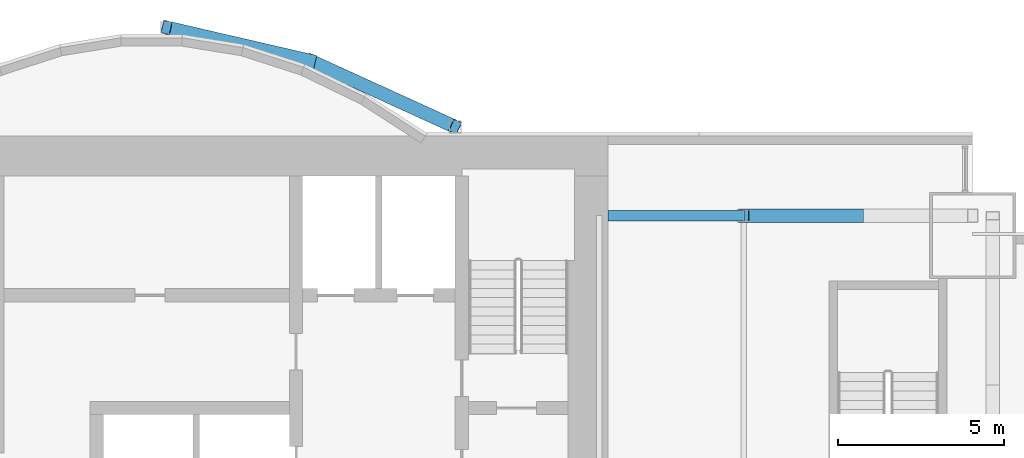
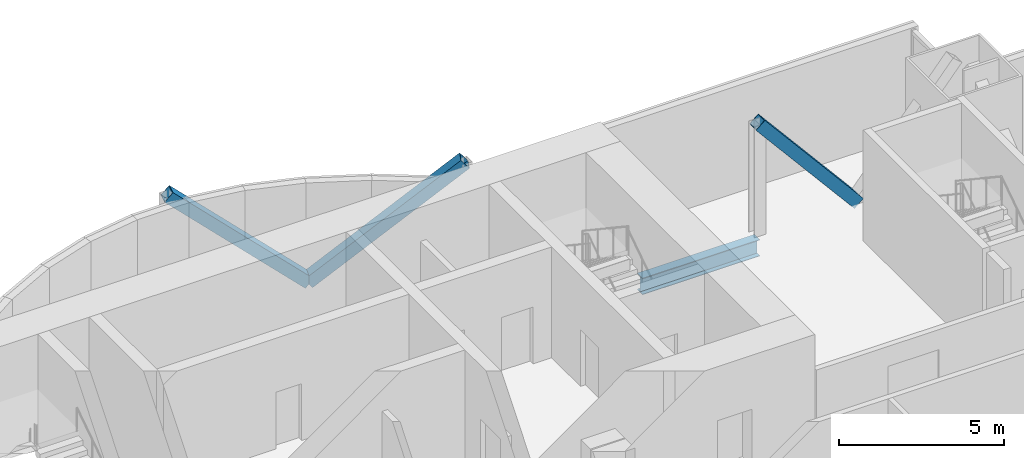
# One storey, part 11 of 21: 3 members, 1 beam.
"""IFC4 building model written with IfcOpenShell, lengths in metres."""

from ifc_helpers import new_model, si_unit, direction, frame, origin, origin_2d, place, context, subcontext, project, spatial, hollow_rectangle, i_section, extrude, material, material_profile, profile_set, type_object, element, save


model = new_model("IFC4")

# Units and contexts
model_context = context("Model", 3, precision=1e-05, world=origin(), true_north=direction((0.0, 1.0)))
body_context = subcontext(model_context, "Body", "Model", "MODEL_VIEW")
ifc_project = project(units=[si_unit("LENGTHUNIT", "METRE"), si_unit("AREAUNIT", "SQUARE_METRE"), si_unit("VOLUMEUNIT", "CUBIC_METRE"), si_unit("PLANEANGLEUNIT", "RADIAN"), si_unit("MASSUNIT", "GRAM", prefix="KILO")], contexts=[model_context])

# Site, building, storey
site_placement = place(None, origin())
site = spatial("IfcSite", under=ifc_project, at=site_placement, CompositionType="ELEMENT")
building_placement = place(site_placement, origin())
building = spatial("IfcBuilding", under=site, at=building_placement, Name="Bicima Exchange Tower", CompositionType="ELEMENT")
storey_placement = place(building_placement, frame((0.0, 0.0, 156.800048828125)))
storey = spatial("IfcBuildingStorey", under=building, at=storey_placement, Name="L34", CompositionType="ELEMENT", Elevation=156.800048828125)

# Members
ifc_material_1 = material(Name="Steel ASTM A572 Gr 50", Category="steel")
ifc_material_profile_1 = material_profile(ifc_material_1, hollow_rectangle(XDim=0.406494140625, YDim=0.406494140625, WallThickness=0.017822265625, at=origin_2d()))
ifc_profile_set_1 = profile_set([ifc_material_profile_1], Name="Steel ASTM A572 Gr 50")
member_type = type_object("IfcMemberType", Name="Mega brace HSS16x16x3/4", PredefinedType="BRACE", material=ifc_profile_set_1)
member_1_placement = place(storey_placement, frame((13.050048828125, 2.262451171875, 0.0), z_axis=(0.690646390594, -0.3150684101, 0.650952732629), x_axis=(0.415045223819, 0.909800781592, 0.0)))
element("IfcMember", 1, at=member_1_placement, inside=storey, type_object=member_type, Name="Mega brace rexo", PredefinedType="BRACE", context=body_context, shape_type="SweptSolid", body=[
    extrude(hollow_rectangle(XDim=0.406494140625, YDim=0.406494140625, WallThickness=0.017822265625, at=origin_2d()), origin(), (0.0, 0.0, 1.0), 6.29833984375),
])
member_2_placement = place(storey_placement, frame((13.050048828125, 2.262451171875, 0.0), z_axis=(-0.717625168184, 0.166055032463, 0.676342993002), x_axis=(-0.225438503722, -0.974257399787, 0.0)))
element("IfcMember", 2, at=member_2_placement, inside=storey, type_object=member_type, Name="Mega brace rexo", PredefinedType="BRACE", context=body_context, shape_type="SweptSolid", body=[
    extrude(hollow_rectangle(XDim=0.406494140625, YDim=0.406494140625, WallThickness=0.017822265625, at=origin_2d()), origin(), (0.0, 0.0, 1.0), 6.061767578125),
])
member_3_placement = place(storey_placement, frame((29.550048828125, -2.39990234375, 0.0), z_axis=(-0.643856488545, 0.0, 0.765146275008), x_axis=(0.0, -1.0, 0.0)))
element("IfcMember", 3, at=member_3_placement, inside=storey, type_object=member_type, Name="Mega brace rear", PredefinedType="BRACE", context=body_context, shape_type="SweptSolid", body=[
    extrude(hollow_rectangle(XDim=0.406494140625, YDim=0.406494140625, WallThickness=0.017822265625, at=origin_2d()), origin(), (0.0, 0.0, 1.0), 5.358154296875),
])

# Beam
ifc_material_2 = material(Name="Steel ASTM A992 Gr 50", Category="steel")
ifc_material_profile_2 = material_profile(ifc_material_2, i_section(OverallWidth=0.3251953125, OverallDepth=0.612060546875, WebThickness=0.0126953125, FlangeThickness=0.01904296875, at=origin_2d()))
ifc_profile_set_2 = profile_set([ifc_material_profile_2], Name="Steel ASTM A992 Gr 50")
beam_type = type_object("IfcBeamType", Name="Rear girder W24x104", PredefinedType="BEAM", material=ifc_profile_set_2)
beam_placement = place(storey_placement, frame((22.0, -2.39990234375, -0.4560546875), z_axis=(1.0, 0.0, 0.0), x_axis=(0.0, 1.0, 0.0)))
element("IfcBeam", 4, at=beam_placement, inside=storey, type_object=beam_type, Name="Rear girder", PredefinedType="BEAM", context=body_context, shape_type="SweptSolid", body=[
    extrude(i_section(OverallWidth=0.3251953125, OverallDepth=0.612060546875, WebThickness=0.0126953125, FlangeThickness=0.01904296875, at=origin_2d()), origin(), (0.0, 0.0, 1.0), 4.10009765625),
])

save(model, "model.ifc")
